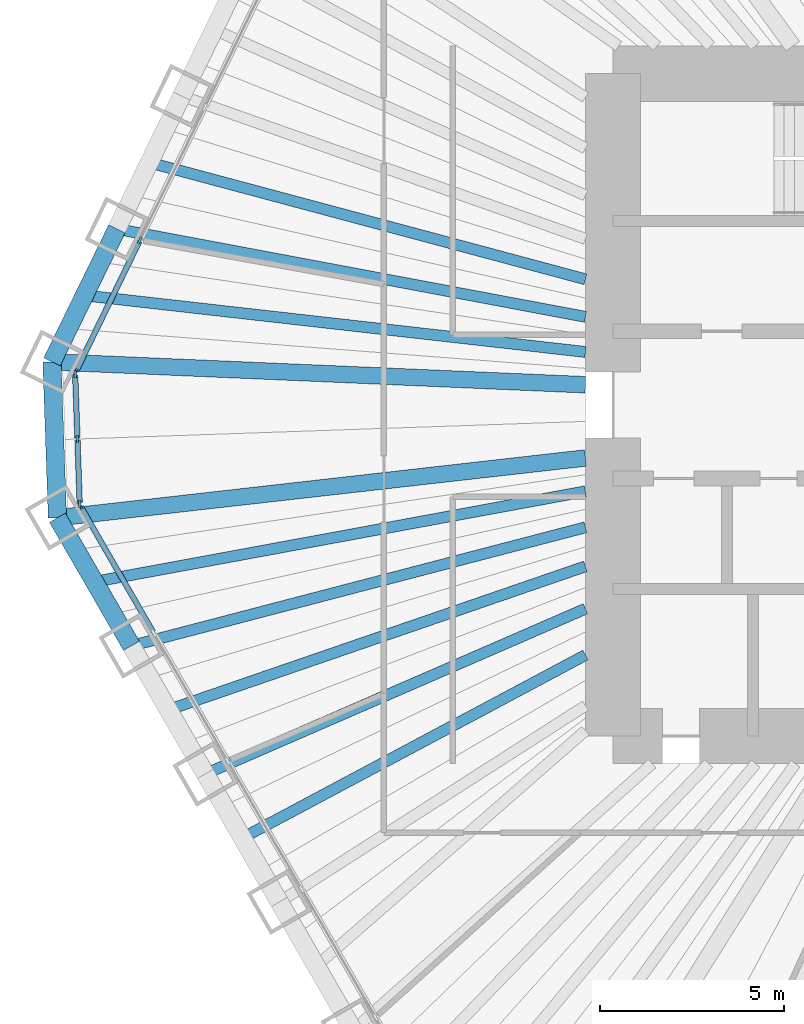
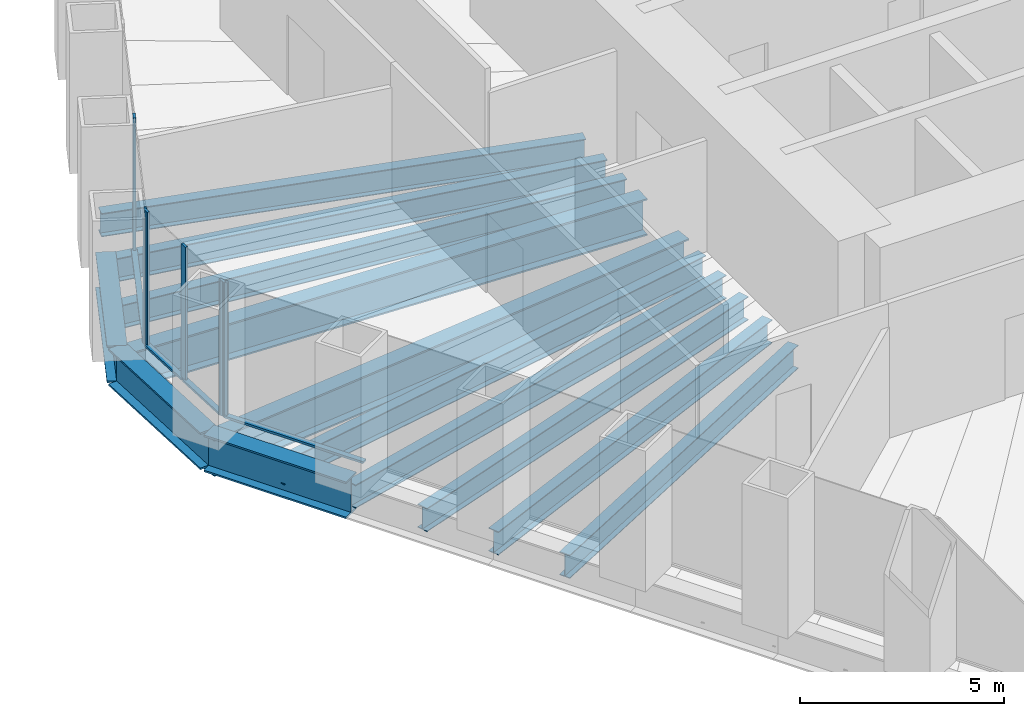
# One storey, part 3 of 13: 13 beams, 10 members, 3 elements without a shape of their own.
"""IFC4 building model written with IfcOpenShell, lengths in metres."""

from ifc_helpers import new_model, si_unit, direction, frame, origin, origin_2d, place, context, subcontext, project, spatial, rectangle, i_section, extrude, material, material_profile, profile_set, type_object, element, aggregate, save


model = new_model("IFC4")

# Units and contexts
model_context = context("Model", 3, precision=1e-05, world=origin(), true_north=direction((0.0, 1.0)))
body_context = subcontext(model_context, "Body", "Model", "MODEL_VIEW")
ifc_project = project(units=[si_unit("LENGTHUNIT", "METRE"), si_unit("AREAUNIT", "SQUARE_METRE"), si_unit("VOLUMEUNIT", "CUBIC_METRE"), si_unit("PLANEANGLEUNIT", "RADIAN"), si_unit("MASSUNIT", "GRAM", prefix="KILO")], contexts=[model_context])

# Site, building, storey
site_placement = place(None, origin())
site = spatial("IfcSite", under=ifc_project, at=site_placement, CompositionType="ELEMENT")
building_placement = place(site_placement, origin())
building = spatial("IfcBuilding", under=site, at=building_placement, Name="Qingtian Harvest Tower", CompositionType="ELEMENT")
storey_placement = place(building_placement, frame((0.0, 0.0, 124.0)))
storey = spatial("IfcBuildingStorey", under=building, at=storey_placement, Name="L25", CompositionType="ELEMENT", Elevation=124.0)

# Beams
ifc_material_1 = material(Name="Steel SM570MC", Category="steel")
ifc_material_profile_1 = material_profile(ifc_material_1, i_section(OverallWidth=0.449951171875, OverallDepth=1.10009765625, WebThickness=0.02197265625, FlangeThickness=0.044921875, at=origin_2d()), Name="H1100x450x22x45")
ifc_profile_set_1 = profile_set([ifc_material_profile_1], Name="Steel SM570MC")
beam_type_1 = type_object("IfcBeamType", Name="Corner floor beam FB8 H1100x450x22x45", PredefinedType="BEAM", material=ifc_profile_set_1)
beam_1_placement = place(storey_placement, frame((-27.096923828125, -3.066650390625, -0.719970703125), z_axis=(0.993656070393, 0.112461610213, 0.0), x_axis=(-0.112461610213, 0.993656070393, 0.0)))
element("IfcBeam", 1, at=beam_1_placement, inside=storey, type_object=beam_type_1, Name="Floor beam FB8 SW6", PredefinedType="BEAM", context=body_context, shape_type="SweptSolid", body=[
    extrude(i_section(OverallWidth=0.449951171875, OverallDepth=1.10009765625, WebThickness=0.02197265625, FlangeThickness=0.044921875, at=origin_2d()), origin(), (0.0, 0.0, 1.0), 14.4384765625),
])
beam_2_placement = place(storey_placement, frame((-27.244873046875, 1.1689453125, -0.719970703125), z_axis=(0.999081074678, -0.042860310542, 0.0), x_axis=(0.042860310542, 0.999081074678, 0.0)))
element("IfcBeam", 2, at=beam_2_placement, inside=storey, type_object=beam_type_1, Name="Floor beam FB8 NW0", PredefinedType="BEAM", context=body_context, shape_type="SweptSolid", body=[
    extrude(i_section(OverallWidth=0.449951171875, OverallDepth=1.10009765625, WebThickness=0.02197265625, FlangeThickness=0.044921875, at=origin_2d()), origin(), (0.0, 0.0, 1.0), 14.50830078125),
])
ifc_material_2 = material(Name="Steel SN490B", Category="steel")
ifc_material_profile_2 = material_profile(ifc_material_2, i_section(OverallWidth=0.300048828125, OverallDepth=0.699951171875, WebThickness=0.012939453125, FlangeThickness=0.02392578125, at=origin_2d()), Name="H700x300x13x24")
ifc_profile_set_2 = profile_set([ifc_material_profile_2], Name="Steel SN490B")
beam_type_2 = type_object("IfcBeamType", Name="Floor beam FB2 H700x300x13x24", PredefinedType="BEAM", material=ifc_profile_set_2)
beam_3_placement = place(storey_placement, frame((-23.077880859375, -10.02783203125, -0.52001953125), z_axis=(0.917154138631, 0.398532666154, 0.0), x_axis=(-0.398532666154, 0.917154138631, 0.0)))
element("IfcBeam", 3, at=beam_3_placement, inside=storey, type_object=beam_type_2, Name="Floor beam FB2 SW4", PredefinedType="BEAM", context=body_context, shape_type="SweptSolid", body=[
    extrude(i_section(OverallWidth=0.300048828125, OverallDepth=0.699951171875, WebThickness=0.012939453125, FlangeThickness=0.02392578125, at=origin_2d()), origin(), (0.0, 0.0, 1.0), 11.2607421875),
])
beam_4_placement = place(storey_placement, frame((-25.08740234375, -6.547119140625, -0.52001953125), z_axis=(0.967592867696, 0.252515429991, 0.0), x_axis=(-0.252515429991, 0.967592867696, 0.0)))
element("IfcBeam", 4, at=beam_4_placement, inside=storey, type_object=beam_type_2, Name="Floor beam FB2 SW5", PredefinedType="BEAM", context=body_context, shape_type="SweptSolid", body=[
    extrude(i_section(OverallWidth=0.300048828125, OverallDepth=0.699951171875, WebThickness=0.012939453125, FlangeThickness=0.02392578125, at=origin_2d()), origin(), (0.0, 0.0, 1.0), 12.750732421875),
])
beam_5_placement = place(storey_placement, frame((-25.483154296875, 4.78125, -0.52001953125), z_axis=(0.982851913913, -0.184396625015, 0.0), x_axis=(0.184396625015, 0.982851913913, 0.0)))
element("IfcBeam", 5, at=beam_5_placement, inside=storey, type_object=beam_type_2, Name="Floor beam FB2 NW1", PredefinedType="BEAM", context=body_context, shape_type="SweptSolid", body=[
    extrude(i_section(OverallWidth=0.300048828125, OverallDepth=0.699951171875, WebThickness=0.012939453125, FlangeThickness=0.02392578125, at=origin_2d()), origin(), (0.0, 0.0, 1.0), 12.955322265625),
])
ifc_material_3 = material(Name="Steel SN490B", Category="steel")
ifc_material_profile_3 = material_profile(ifc_material_3, i_section(OverallWidth=0.300048828125, OverallDepth=0.699951171875, WebThickness=0.012939453125, FlangeThickness=0.02392578125, at=origin_2d()), Name="H700x300x13x24")
ifc_profile_set_3 = profile_set([ifc_material_profile_3], Name="Steel SN490B")
beam_type_3 = type_object("IfcBeamType", Name="Floor joist J2 H700x300x13x24", PredefinedType="JOIST", material=ifc_profile_set_3)
beam_6_placement = place(storey_placement, frame((-22.0732421875, -11.76806640625, -0.52001953125), z_axis=(0.882429048443, 0.47044550637, 0.0), x_axis=(-0.47044550637, 0.882429048443, 0.0)))
element("IfcBeam", 6, at=beam_6_placement, inside=storey, type_object=beam_type_3, Name="Floor joist J2 SW3", PredefinedType="JOIST", context=body_context, shape_type="SweptSolid", body=[
    extrude(i_section(OverallWidth=0.300048828125, OverallDepth=0.699951171875, WebThickness=0.012939453125, FlangeThickness=0.02392578125, at=origin_2d()), origin(), (0.0, 0.0, 1.0), 10.5654296875),
])
beam_7_placement = place(storey_placement, frame((-24.082763671875, -8.28759765625, -0.52001953125), z_axis=(0.945577150072, 0.325397992099, 0.0), x_axis=(-0.325397992099, 0.945577150072, 0.0)))
element("IfcBeam", 7, at=beam_7_placement, inside=storey, type_object=beam_type_3, Name="Floor joist J2 SW4", PredefinedType="JOIST", context=body_context, shape_type="SweptSolid", body=[
    extrude(i_section(OverallWidth=0.300048828125, OverallDepth=0.699951171875, WebThickness=0.012939453125, FlangeThickness=0.02392578125, at=origin_2d()), origin(), (0.0, 0.0, 1.0), 11.985107421875),
])
beam_8_placement = place(storey_placement, frame((-26.09228515625, -4.806884765625, -0.52001953125), z_axis=(0.983450319804, 0.181178002192, 0.0), x_axis=(-0.181178002192, 0.983450319804, 0.0)))
element("IfcBeam", 8, at=beam_8_placement, inside=storey, type_object=beam_type_3, Name="Floor joist J2 SW5", PredefinedType="JOIST", context=body_context, shape_type="SweptSolid", body=[
    extrude(i_section(OverallWidth=0.300048828125, OverallDepth=0.699951171875, WebThickness=0.012939453125, FlangeThickness=0.02392578125, at=origin_2d()), origin(), (0.0, 0.0, 1.0), 13.56689453125),
])
beam_9_placement = place(storey_placement, frame((-26.364013671875, 2.97509765625, -0.52001953125), z_axis=(0.993692330348, -0.112140771387, 0.0), x_axis=(0.112140771387, 0.993692330348, 0.0)))
element("IfcBeam", 9, at=beam_9_placement, inside=storey, type_object=beam_type_3, Name="Floor joist J2 NW0", PredefinedType="JOIST", context=body_context, shape_type="SweptSolid", body=[
    extrude(i_section(OverallWidth=0.300048828125, OverallDepth=0.699951171875, WebThickness=0.012939453125, FlangeThickness=0.02392578125, at=origin_2d()), origin(), (0.0, 0.0, 1.0), 13.700439453125),
])
beam_10_placement = place(storey_placement, frame((-24.60205078125, 6.58740234375, -0.52001953125), z_axis=(0.965969893862, -0.258654526641, 0.0), x_axis=(0.258654526641, 0.965969893862, 0.0)))
element("IfcBeam", 10, at=beam_10_placement, inside=storey, type_object=beam_type_3, Name="Floor joist J2 NW1", PredefinedType="JOIST", context=body_context, shape_type="SweptSolid", body=[
    extrude(i_section(OverallWidth=0.300048828125, OverallDepth=0.699951171875, WebThickness=0.012939453125, FlangeThickness=0.02392578125, at=origin_2d()), origin(), (0.0, 0.0, 1.0), 12.26953125),
])

# Curtain wall, member
ifc_material_4 = material(Name="Bronze-anodised aluminium curtain wall", Category="aluminium")
curtain_wall_type = type_object("IfcCurtainWallType", Name="Curtain wall CW4 office", PredefinedType="USERDEFINED", material=ifc_material_4)
curtain_wall_1_placement = place(storey_placement, origin())
curtain_wall_1 = element("IfcCurtainWall", 11, at=curtain_wall_1_placement, inside=storey, type_object=curtain_wall_type, Name="Curtain wall CW4 L25 SW0-5", ObjectType="RECESSED CURTAIN WALL", PredefinedType="USERDEFINED")
ifc_material_5 = material(Name="Bronze-anodised aluminium mullion", Category="aluminium")
ifc_material_profile_4 = material_profile(ifc_material_5, rectangle(XDim=0.06494140625, YDim=0.199951171875, at=origin_2d()), Name="AL 65x200")
ifc_profile_set_4 = profile_set([ifc_material_profile_4], Name="Bronze-anodised aluminium mullion")
member_type_1 = type_object("IfcMemberType", Name="Mullion CWM 65x200", PredefinedType="MULLION", material=ifc_profile_set_4)
member_1_placement = place(storey_placement, frame((-26.474609375, -2.744873046875, 0.0), z_axis=(0.0, 0.0, 1.0), x_axis=(-0.866025403784, -0.5, 0.0)))
member_1 = element("IfcMember", 12, at=member_1_placement, type_object=member_type_1, Name="CW4 mullion 7", PredefinedType="MULLION", context=body_context, shape_type="SweptSolid", body=[
    extrude(rectangle(XDim=0.06494140625, YDim=0.199951171875, at=origin_2d()), origin(), (0.0, 0.0, 1.0), 4.030029296875),
])

# Curtain wall, members
curtain_wall_2_placement = place(storey_placement, origin())
curtain_wall_2 = element("IfcCurtainWall", 13, at=curtain_wall_2_placement, inside=storey, type_object=curtain_wall_type, Name="Curtain wall CW4 L25 SWC", ObjectType="RECESSED CURTAIN WALL", PredefinedType="USERDEFINED")
member_2_placement = place(storey_placement, frame((-26.491943359375, -2.68408203125, 0.0), z_axis=(0.0, 0.0, 1.0), x_axis=(-0.999390827019, -0.034899496703, 0.0)))
member_2 = element("IfcMember", 14, at=member_2_placement, type_object=member_type_1, Name="CW4 mullion 1", PredefinedType="MULLION", context=body_context, shape_type="SweptSolid", body=[
    extrude(rectangle(XDim=0.06494140625, YDim=0.199951171875, at=origin_2d()), origin(), (0.0, 0.0, 1.0), 4.030029296875),
])
member_3_placement = place(storey_placement, frame((-26.55322265625, -0.92724609375, 0.0), z_axis=(0.0, 0.0, 1.0), x_axis=(-0.999390827019, -0.034899496703, 0.0)))
member_3 = element("IfcMember", 15, at=member_3_placement, type_object=member_type_1, Name="CW4 mullion 2", PredefinedType="MULLION", context=body_context, shape_type="SweptSolid", body=[
    extrude(rectangle(XDim=0.06494140625, YDim=0.199951171875, at=origin_2d()), origin(), (0.0, 0.0, 1.0), 4.030029296875),
])
member_4_placement = place(storey_placement, frame((-26.614501953125, 0.82958984375, 0.0), z_axis=(0.0, 0.0, 1.0), x_axis=(-0.999390827019, -0.034899496703, 0.0)))
member_4 = element("IfcMember", 16, at=member_4_placement, type_object=member_type_1, Name="CW4 mullion 3", PredefinedType="MULLION", context=body_context, shape_type="SweptSolid", body=[
    extrude(rectangle(XDim=0.06494140625, YDim=0.199951171875, at=origin_2d()), origin(), (0.0, 0.0, 1.0), 4.030029296875),
])

curtain_wall_3_placement = place(storey_placement, origin())
curtain_wall_3 = element("IfcCurtainWall", 17, at=curtain_wall_3_placement, inside=storey, type_object=curtain_wall_type, Name="Curtain wall CW4 L25 NW0-5", ObjectType="RECESSED CURTAIN WALL", PredefinedType="USERDEFINED")
member_5_placement = place(storey_placement, frame((-26.6015625, 0.891357421875, 0.0), z_axis=(0.0, 0.0, 1.0), x_axis=(-0.898794046299, 0.438371146789, 0.0)))
member_5 = element("IfcMember", 18, at=member_5_placement, type_object=member_type_1, Name="CW4 mullion 1", PredefinedType="MULLION", context=body_context, shape_type="SweptSolid", body=[
    extrude(rectangle(XDim=0.06494140625, YDim=0.199951171875, at=origin_2d()), origin(), (0.0, 0.0, 1.0), 4.030029296875),
])
member_6_placement = place(storey_placement, frame((-24.85400390625, 4.474365234375, 0.0), z_axis=(0.0, 0.0, 1.0), x_axis=(-0.898794046299, 0.438371146789, 0.0)))
member_6 = element("IfcMember", 19, at=member_6_placement, type_object=member_type_1, Name="CW4 mullion 2", PredefinedType="MULLION", context=body_context, shape_type="SweptSolid", body=[
    extrude(rectangle(XDim=0.06494140625, YDim=0.199951171875, at=origin_2d()), origin(), (0.0, 0.0, 1.0), 4.030029296875),
])

# Beams
ifc_material_6 = material(Name="Steel SM570MC", Category="steel")
ifc_material_profile_5 = material_profile(ifc_material_6, i_section(OverallWidth=0.5, OverallDepth=1.10009765625, WebThickness=0.02490234375, FlangeThickness=0.050048828125, at=origin_2d()), Name="H1100x500x25x50")
ifc_profile_set_5 = profile_set([ifc_material_profile_5], Name="Steel SM570MC")
beam_type_4 = type_object("IfcBeamType", Name="Spandrel beam SB2 H1100x500x25x50", PredefinedType="SPANDREL", material=ifc_profile_set_5)
beam_11_placement = place(storey_placement, frame((-25.08740234375, -6.547119140625, -0.550048828125), z_axis=(-0.500013420409, 0.866017655369, 0.0), x_axis=(-0.866017655369, -0.500013420409, 0.0)))
element("IfcBeam", 20, at=beam_11_placement, inside=storey, type_object=beam_type_4, Name="Spandrel SB2 SW5", PredefinedType="SPANDREL", context=body_context, shape_type="SweptSolid", body=[
    extrude(i_section(OverallWidth=0.5, OverallDepth=1.10009765625, WebThickness=0.02490234375, FlangeThickness=0.050048828125, at=origin_2d()), origin(), (0.0, 0.0, 1.0), 4.01904296875),
])
beam_12_placement = place(storey_placement, frame((-27.096923828125, -3.066650390625, -0.550048828125), z_axis=(-0.034908677553, 0.999390506375, 0.0), x_axis=(-0.999390506375, -0.034908677553, 0.0)))
element("IfcBeam", 21, at=beam_12_placement, inside=storey, type_object=beam_type_4, Name="Spandrel SB2 SWC", PredefinedType="SPANDREL", context=body_context, shape_type="SweptSolid", body=[
    extrude(i_section(OverallWidth=0.5, OverallDepth=1.10009765625, WebThickness=0.02490234375, FlangeThickness=0.050048828125, at=origin_2d()), origin(), (0.0, 0.0, 1.0), 4.23828125),
])
beam_13_placement = place(storey_placement, frame((-27.244873046875, 1.1689453125, -0.550048828125), z_axis=(0.438347033158, 0.898805806902, 0.0), x_axis=(-0.898805806902, 0.438347033158, 0.0)))
element("IfcBeam", 22, at=beam_13_placement, inside=storey, type_object=beam_type_4, Name="Spandrel SB2 NW0", PredefinedType="SPANDREL", context=body_context, shape_type="SweptSolid", body=[
    extrude(i_section(OverallWidth=0.5, OverallDepth=1.10009765625, WebThickness=0.02490234375, FlangeThickness=0.050048828125, at=origin_2d()), origin(), (0.0, 0.0, 1.0), 4.01904296875),
])

# Member
ifc_material_7 = material(Name="Bronze-anodised aluminium transom", Category="aluminium")
ifc_material_profile_6 = material_profile(ifc_material_7, rectangle(XDim=0.14990234375, YDim=0.06494140625, at=origin_2d()), Name="AL 65x150")
ifc_profile_set_6 = profile_set([ifc_material_profile_6], Name="Bronze-anodised aluminium transom")
member_type_2 = type_object("IfcMemberType", Name="Transom CWT 65x150", PredefinedType="USERDEFINED", material=ifc_profile_set_6)
member_7_placement = place(storey_placement, frame((-24.49755859375, -6.169189453125, 0.032470703125), z_axis=(-0.499975738995, 0.866039410429, 0.0), x_axis=(-0.866039410429, -0.499975738995, 0.0)))
member_7 = element("IfcMember", 23, at=member_7_placement, type_object=member_type_2, Name="CW4 transom 6.1", ObjectType="TRANSOM", PredefinedType="USERDEFINED", context=body_context, shape_type="SweptSolid", body=[
    extrude(rectangle(XDim=0.14990234375, YDim=0.06494140625, at=origin_2d()), origin(), (0.0, 0.0, 1.0), 3.921630859375),
])

aggregate(curtain_wall_1, [member_1, member_7])

member_8_placement = place(storey_placement, frame((-26.4931640625, -2.651611328125, 0.032470703125), z_axis=(-0.034899362377, 0.99939083171, 0.0), x_axis=(-0.99939083171, -0.034899362377, 0.0)))
member_8 = element("IfcMember", 24, at=member_8_placement, type_object=member_type_2, Name="CW4 transom 1.1", ObjectType="TRANSOM", PredefinedType="USERDEFINED", context=body_context, shape_type="SweptSolid", body=[
    extrude(rectangle(XDim=0.14990234375, YDim=0.06494140625, at=origin_2d()), origin(), (0.0, 0.0, 1.0), 1.69287109375),
])

member_9_placement = place(storey_placement, frame((-26.554443359375, -0.894775390625, 0.032470703125), z_axis=(-0.034899362377, 0.99939083171, 0.0), x_axis=(-0.99939083171, -0.034899362377, 0.0)))
member_9 = element("IfcMember", 25, at=member_9_placement, type_object=member_type_2, Name="CW4 transom 2.1", ObjectType="TRANSOM", PredefinedType="USERDEFINED", context=body_context, shape_type="SweptSolid", body=[
    extrude(rectangle(XDim=0.14990234375, YDim=0.06494140625, at=origin_2d()), origin(), (0.0, 0.0, 1.0), 1.69287109375),
])

aggregate(curtain_wall_2, [member_2, member_3, member_4, member_8, member_9])

member_10_placement = place(storey_placement, frame((-26.587158203125, 0.92041015625, 0.032470703125), z_axis=(0.438326734225, 0.898815706396, 0.0), x_axis=(-0.898815706396, 0.438326734225, 0.0)))
member_10 = element("IfcMember", 26, at=member_10_placement, type_object=member_type_2, Name="CW4 transom 1.1", ObjectType="TRANSOM", PredefinedType="USERDEFINED", context=body_context, shape_type="SweptSolid", body=[
    extrude(rectangle(XDim=0.14990234375, YDim=0.06494140625, at=origin_2d()), origin(), (0.0, 0.0, 1.0), 3.921630859375),
])

aggregate(curtain_wall_3, [member_5, member_6, member_10])

save(model, "model.ifc")
